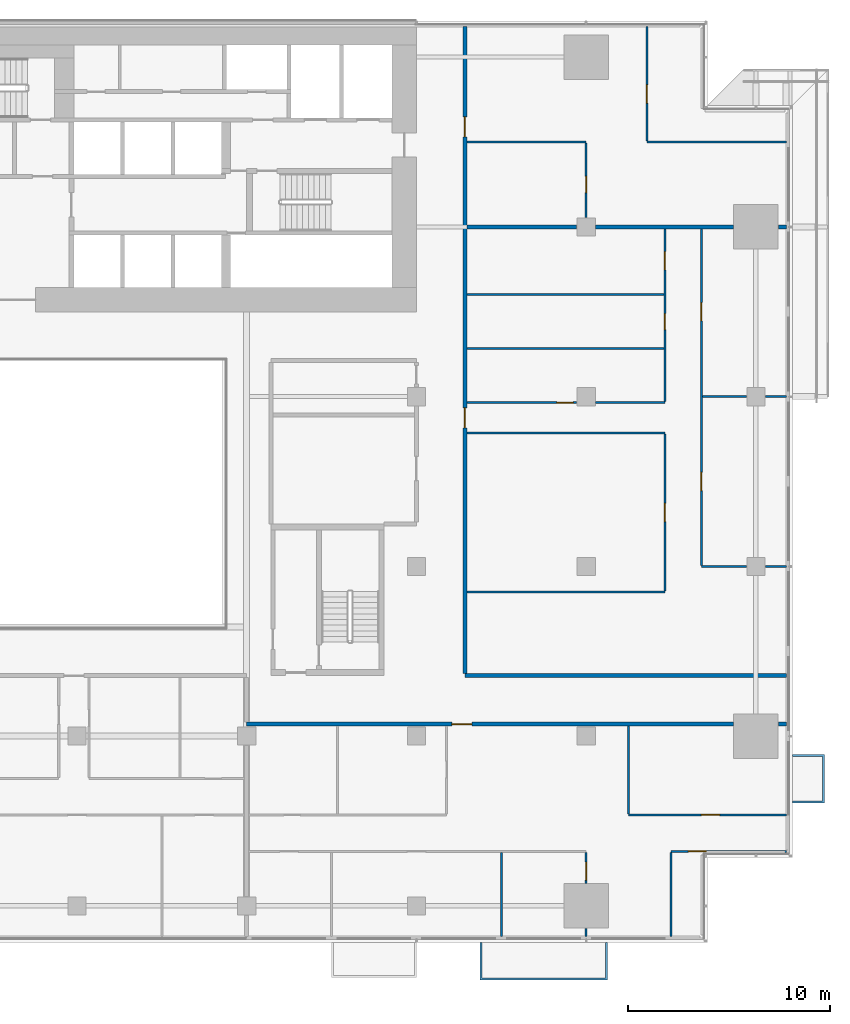
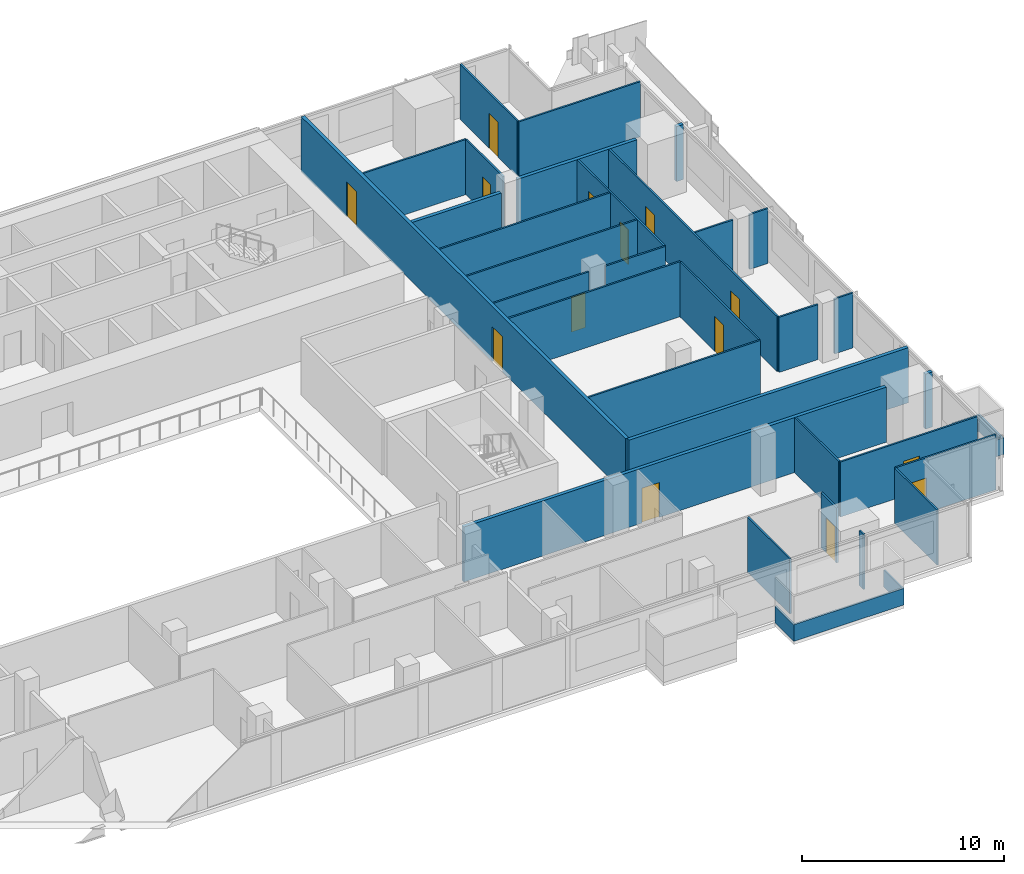
# One storey, part 24 of 29: 33 walls, 14 doors, 14 openings.
"""IFC4 building model written with IfcOpenShell, lengths in metres."""

from ifc_helpers import new_model, si_unit, direction, frame, frame_2d, origin, place, context, subcontext, project, spatial, polyline, rectangle, outline, extrude, material, layer, layer_set, type_object, element, fill, save


model = new_model("IFC4")

# Units and contexts
model_context = context("Model", 3, precision=1e-05, world=origin(), true_north=direction((0.0, 1.0)))
body_context = subcontext(model_context, "Body", "Model", "MODEL_VIEW")
ifc_project = project(units=[si_unit("LENGTHUNIT", "METRE"), si_unit("AREAUNIT", "SQUARE_METRE"), si_unit("VOLUMEUNIT", "CUBIC_METRE"), si_unit("PLANEANGLEUNIT", "RADIAN"), si_unit("MASSUNIT", "GRAM", prefix="KILO")], contexts=[model_context])

# Site, building, storey
site_placement = place(None, origin())
site = spatial("IfcSite", under=ifc_project, at=site_placement, CompositionType="ELEMENT")
building_placement = place(site_placement, origin())
building = spatial("IfcBuilding", under=site, at=building_placement, Name="Saffron Gate Tower", CompositionType="ELEMENT")
storey_placement = place(building_placement, frame((0.0, 0.0, 55.199951171875)))
storey = spatial("IfcBuildingStorey", under=building, at=storey_placement, Name="L12", CompositionType="ELEMENT", Elevation=55.199951171875)

# Wall, opening, door
ifc_material_1 = material(Name="Plasterboard on steel studs", Category="steel")
ifc_layer_1 = layer(ifc_material_1, 0.10009765625)
ifc_layer_set_1 = layer_set([ifc_layer_1], Name="PW1 Partition 100")
wall_type_1 = type_object("IfcWallType", Name="PW1 Partition 100", PredefinedType="PARTITIONING", material=ifc_layer_set_1)
wall_1_placement = place(storey_placement, frame((126.919921875, 34.5, 0.0), z_axis=(0.0, 0.0, 1.0), x_axis=(-1.0, 0.0, 0.0)))
wall_1 = element("IfcWall", 1, at=wall_1_placement, inside=storey, type_object=wall_type_1, Name="Partition A2-4", PredefinedType="PARTITIONING", context=body_context, shape_type="SweptSolid", body=[
    extrude(rectangle(XDim=5.719970703125, YDim=0.10009765625, at=frame_2d((2.85986328125, 0.0))), origin(), (0.0, 0.0, 1.0), 3.320068359375),
])
opening_1_placement = place(wall_1_placement, frame((3.96630859375, 0.0, 0.0)))
opening_1 = element("IfcOpeningElement", 2, at=opening_1_placement, cuts=wall_1, Name="Opening A2-19", PredefinedType="OPENING", context=body_context, shape_type="SweptSolid", body=[
    extrude(rectangle(XDim=0.89990234375, YDim=2.10009765625, at=frame_2d((0.449951171875, 1.050048828125))), frame((0.0, 0.06005859375, 0.0), z_axis=(0.0, -1.0, 0.0), x_axis=(1.0, 0.0, 0.0)), (0.0, 0.0, 1.0), 0.1201171875),
])
ifc_material_2 = material(Name="Timber door set", Category="wood")
door_type_1 = type_object("IfcDoorType", Name="RD1 Room door 900x2100", OperationType="NOTDEFINED", PredefinedType="DOOR", material=ifc_material_2)
door_1_placement = place(opening_1_placement, origin())
door_1 = element("IfcDoor", 3, at=door_1_placement, inside=storey, type_object=door_type_1, Name="Door A2-19", OperationType="SINGLE_SWING_RIGHT", OverallHeight=2.10009765625, OverallWidth=0.89990234375, PredefinedType="DOOR", context=body_context, shape_type="SweptSolid", body=[
    extrude(rectangle(XDim=0.89990234375, YDim=2.10009765625, at=frame_2d((0.449951171875, 1.050048828125))), frame((0.0, 0.02490234375, 0.0), z_axis=(0.0, -1.0, 0.0), x_axis=(1.0, 0.0, 0.0)), (0.0, 0.0, 1.0), 0.050048828125),
])
fill(opening_1, door_1)

wall_2_placement = place(storey_placement, frame((119.10009765625, 36.300048828125, 0.0), z_axis=(0.0, 0.0, 1.0), x_axis=(1.0, 0.0, 0.0)))
wall_2 = element("IfcWall", 4, at=wall_2_placement, inside=storey, type_object=wall_type_1, Name="Partition A2-6", PredefinedType="PARTITIONING", context=body_context, shape_type="SweptSolid", body=[
    extrude(rectangle(XDim=7.81982421875, YDim=0.10009765625, at=frame_2d((3.909912109375, 0.0))), origin(), (0.0, 0.0, 1.0), 3.320068359375),
])
opening_2_placement = place(wall_2_placement, frame((3.60009765625, 0.0, 0.0)))
opening_2 = element("IfcOpeningElement", 5, at=opening_2_placement, cuts=wall_2, Name="Opening A2-20", PredefinedType="OPENING", context=body_context, shape_type="SweptSolid", body=[
    extrude(rectangle(XDim=0.89990234375, YDim=2.10009765625, at=frame_2d((0.449951171875, 1.050048828125))), frame((0.0, 0.06005859375, 0.0), z_axis=(0.0, -1.0, 0.0), x_axis=(1.0, 0.0, 0.0)), (0.0, 0.0, 1.0), 0.1201171875),
])
door_2_placement = place(opening_2_placement, origin())
door_2 = element("IfcDoor", 6, at=door_2_placement, inside=storey, type_object=door_type_1, Name="Door A2-20", OperationType="SINGLE_SWING_RIGHT", OverallHeight=2.10009765625, OverallWidth=0.89990234375, PredefinedType="DOOR", context=body_context, shape_type="SweptSolid", body=[
    extrude(rectangle(XDim=0.89990234375, YDim=2.10009765625, at=frame_2d((0.449951171875, 1.050048828125))), frame((0.0, 0.02490234375, 0.0), z_axis=(0.0, -1.0, 0.0), x_axis=(1.0, 0.0, 0.0)), (0.0, 0.0, 1.0), 0.050048828125),
])
fill(opening_2, door_2)

# Walls
wall_3_placement = place(storey_placement, frame((111.10009765625, 47.34130859375, 0.0), z_axis=(0.0, 0.0, 1.0), x_axis=(1.0, 0.0, 0.0)))
element("IfcWall", 7, at=wall_3_placement, inside=storey, type_object=wall_type_1, Name="Partition A2-16", PredefinedType="PARTITIONING", context=body_context, shape_type="SweptSolid", body=[
    extrude(rectangle(XDim=9.7998046875, YDim=0.10009765625, at=frame_2d((4.89990234375, 0.0))), origin(), (0.0, 0.0, 1.0), 3.320068359375),
])
wall_4_placement = place(storey_placement, frame((122.699951171875, 48.60009765625, 0.0), z_axis=(0.0, 0.0, 1.0), x_axis=(1.0, 0.0, 0.0)))
element("IfcWall", 8, at=wall_4_placement, inside=storey, type_object=wall_type_1, Name="Partition A2-19", PredefinedType="PARTITIONING", context=body_context, shape_type="SweptSolid", body=[
    extrude(rectangle(XDim=2.22998046875, YDim=0.10009765625, at=frame_2d((1.114990234375, 0.0))), origin(), (0.0, 0.0, 1.0), 3.320068359375),
])
wall_5_placement = place(storey_placement, frame((125.8701171875, 48.60009765625, 0.0), z_axis=(0.0, 0.0, 1.0), x_axis=(1.0, 0.0, 0.0)))
element("IfcWall", 9, at=wall_5_placement, inside=storey, type_object=wall_type_1, Name="Partition A2-20", PredefinedType="PARTITIONING", context=body_context, shape_type="SweptSolid", body=[
    extrude(rectangle(XDim=1.0498046875, YDim=0.10009765625, at=frame_2d((0.52490234375, 0.0))), origin(), (0.0, 0.0, 1.0), 3.320068359375),
])
wall_6_placement = place(storey_placement, frame((111.10009765625, 55.199951171875, 0.0), z_axis=(0.0, 0.0, 1.0), x_axis=(1.0, 0.0, 0.0)))
element("IfcWall", 10, at=wall_6_placement, inside=storey, type_object=wall_type_1, Name="Partition A2-27", PredefinedType="PARTITIONING", context=body_context, shape_type="SweptSolid", body=[
    extrude(rectangle(XDim=9.7998046875, YDim=0.10009765625, at=frame_2d((4.89990234375, 0.0))), origin(), (0.0, 0.0, 1.0), 3.320068359375),
])

# Wall, opening, door
wall_7_placement = place(storey_placement, frame((111.10009765625, 56.699951171875, 0.0), z_axis=(0.0, 0.0, 1.0), x_axis=(1.0, 0.0, 0.0)))
wall_7 = element("IfcWall", 11, at=wall_7_placement, inside=storey, type_object=wall_type_1, Name="Partition A2-30", PredefinedType="PARTITIONING", context=body_context, shape_type="SweptSolid", body=[
    extrude(rectangle(XDim=5.429931640625, YDim=0.10009765625, at=frame_2d((2.71484375, 0.0))), origin(), (0.0, 0.0, 1.0), 3.320068359375),
])
opening_3_placement = place(wall_7_placement, frame((4.449951171875, 0.0, 0.0)))
opening_3 = element("IfcOpeningElement", 12, at=opening_3_placement, cuts=wall_7, Name="Opening A2-42", PredefinedType="OPENING", context=body_context, shape_type="SweptSolid", body=[
    extrude(rectangle(XDim=0.800048828125, YDim=2.10009765625, at=frame_2d((0.39990234375, 1.050048828125))), frame((0.0, 0.06005859375, 0.0), z_axis=(0.0, -1.0, 0.0), x_axis=(1.0, 0.0, 0.0)), (0.0, 0.0, 1.0), 0.1201171875),
])
door_type_2 = type_object("IfcDoorType", Name="RD2 Bathroom door 800x2100", OperationType="NOTDEFINED", PredefinedType="DOOR", material=ifc_material_2)
door_3_placement = place(opening_3_placement, origin())
door_3 = element("IfcDoor", 13, at=door_3_placement, inside=storey, type_object=door_type_2, Name="Door A2-42", OperationType="SINGLE_SWING_RIGHT", OverallHeight=2.10009765625, OverallWidth=0.800048828125, PredefinedType="DOOR", context=body_context, shape_type="SweptSolid", body=[
    extrude(rectangle(XDim=0.800048828125, YDim=2.10009765625, at=frame_2d((0.39990234375, 1.050048828125))), frame((0.0, 0.02490234375, 0.0), z_axis=(0.0, -1.0, 0.0), x_axis=(1.0, 0.0, 0.0)), (0.0, 0.0, 1.0), 0.050048828125),
])
fill(opening_3, door_3)

# Walls
wall_8_placement = place(storey_placement, frame((117.469970703125, 56.699951171875, 0.0), z_axis=(0.0, 0.0, 1.0), x_axis=(1.0, 0.0, 0.0)))
element("IfcWall", 14, at=wall_8_placement, inside=storey, type_object=wall_type_1, Name="Partition A2-31", PredefinedType="PARTITIONING", context=body_context, shape_type="SweptSolid", body=[
    extrude(rectangle(XDim=3.429931640625, YDim=0.10009765625, at=frame_2d((1.71484375, 0.0))), origin(), (0.0, 0.0, 1.0), 3.320068359375),
])
wall_9_placement = place(storey_placement, frame((122.75, 57.0, 0.0), z_axis=(0.0, 0.0, 1.0), x_axis=(1.0, 0.0, 0.0)))
element("IfcWall", 15, at=wall_9_placement, inside=storey, type_object=wall_type_1, Name="Partition A2-35", PredefinedType="PARTITIONING", context=body_context, shape_type="SweptSolid", body=[
    extrude(rectangle(XDim=2.179931640625, YDim=0.10009765625, at=frame_2d((1.08984375, 0.0))), origin(), (0.0, 0.0, 1.0), 3.320068359375),
])
wall_10_placement = place(storey_placement, frame((125.8701171875, 57.0, 0.0), z_axis=(0.0, 0.0, 1.0), x_axis=(1.0, 0.0, 0.0)))
element("IfcWall", 16, at=wall_10_placement, inside=storey, type_object=wall_type_1, Name="Partition A2-36", PredefinedType="PARTITIONING", context=body_context, shape_type="SweptSolid", body=[
    extrude(rectangle(XDim=1.0498046875, YDim=0.10009765625, at=frame_2d((0.52490234375, 0.0))), origin(), (0.0, 0.0, 1.0), 3.320068359375),
])
for number, where, z_axis, x_axis, name in (
    (17, (111.10009765625, 59.376708984375, 0.0), (0.0, 0.0, 1.0), (1.0, 0.0, 0.0), "Partition A2-39"),
    (18, (111.10009765625, 62.053466796875, 0.0), (0.0, 0.0, 1.0), (1.0, 0.0, 0.0), "Partition A2-41"),
):
    element("IfcWall", number, at=place(storey_placement, frame(where, z_axis=z_axis, x_axis=x_axis)), inside=storey, type_object=wall_type_1, Name=name, PredefinedType="PARTITIONING", context=body_context, shape_type="SweptSolid", body=[
        extrude(rectangle(XDim=9.75, YDim=0.10009765625, at=frame_2d((4.875, 0.0))), origin(), (0.0, 0.0, 1.0), 3.320068359375),
    ])
wall_11_placement = place(storey_placement, frame((111.10009765625, 69.60009765625, 0.0), z_axis=(0.0, 0.0, 1.0), x_axis=(1.0, 0.0, 0.0)))
element("IfcWall", 19, at=wall_11_placement, inside=storey, type_object=wall_type_1, Name="Partition A2-49", PredefinedType="PARTITIONING", context=body_context, shape_type="SweptSolid", body=[
    extrude(rectangle(XDim=5.89990234375, YDim=0.10009765625, at=frame_2d((2.949951171875, 0.0))), origin(), (0.0, 0.0, 1.0), 3.320068359375),
])
wall_12_placement = place(storey_placement, frame((120.0, 69.60009765625, 0.0), z_axis=(0.0, 0.0, 1.0), x_axis=(1.0, 0.0, 0.0)))
element("IfcWall", 20, at=wall_12_placement, inside=storey, type_object=wall_type_1, Name="Partition A2-50", PredefinedType="PARTITIONING", context=body_context, shape_type="SweptSolid", body=[
    extrude(rectangle(XDim=6.919921875, YDim=0.10009765625, at=frame_2d((3.4599609375, 0.0))), origin(), (0.0, 0.0, 1.0), 3.320068359375),
])
wall_13_placement = place(storey_placement, frame((112.800048828125, 34.449951171875, 0.0), z_axis=(0.0, 0.0, 1.0), x_axis=(0.0, -1.0, 0.0)))
element("IfcWall", 21, at=wall_13_placement, inside=storey, type_object=wall_type_1, Name="Partition A2-89", PredefinedType="PARTITIONING", context=body_context, shape_type="SweptSolid", body=[
    extrude(rectangle(XDim=4.169921875, YDim=0.10009765625, at=frame_2d((2.0849609375, 0.0))), origin(), (0.0, 0.0, 1.0), 3.320068359375),
])
wall_14_placement = place(storey_placement, frame((117.0, 30.679931640625, 0.0), z_axis=(0.0, 0.0, 1.0), x_axis=(0.0, -1.0, 0.0)))
element("IfcWall", 22, at=wall_14_placement, inside=storey, type_object=wall_type_1, Name="Partition A2-90", PredefinedType="PARTITIONING", context=body_context, shape_type="SweptSolid", body=[
    extrude(rectangle(XDim=0.39990234375, YDim=0.10009765625, at=frame_2d((0.199951171875, 0.0))), origin(), (0.0, 0.0, 1.0), 3.320068359375),
])

# Wall, opening, door
wall_15_placement = place(storey_placement, frame((117.0, 32.919921875, 0.0), z_axis=(0.0, 0.0, 1.0), x_axis=(0.0, 1.0, 0.0)))
wall_15 = element("IfcWall", 23, at=wall_15_placement, inside=storey, type_object=wall_type_1, Name="Partition A2-91", PredefinedType="PARTITIONING", context=body_context, shape_type="SweptSolid", body=[
    extrude(rectangle(XDim=1.530029296875, YDim=0.10009765625, at=frame_2d((0.76513671875, 0.0))), origin(), (0.0, 0.0, 1.0), 3.320068359375),
])
opening_4_placement = place(wall_15_placement, frame((0.14990234375, 0.0, 0.0)))
opening_4 = element("IfcOpeningElement", 24, at=opening_4_placement, cuts=wall_15, Name="Opening A2-18", PredefinedType="OPENING", context=body_context, shape_type="SweptSolid", body=[
    extrude(rectangle(XDim=0.89990234375, YDim=2.10009765625, at=frame_2d((0.449951171875, 1.050048828125))), frame((0.0, 0.06005859375, 0.0), z_axis=(0.0, -1.0, 0.0), x_axis=(1.0, 0.0, 0.0)), (0.0, 0.0, 1.0), 0.1201171875),
])
door_4_placement = place(opening_4_placement, origin())
door_4 = element("IfcDoor", 25, at=door_4_placement, inside=storey, type_object=door_type_1, Name="Door A2-18", OperationType="SINGLE_SWING_LEFT", OverallHeight=2.10009765625, OverallWidth=0.89990234375, PredefinedType="DOOR", context=body_context, shape_type="SweptSolid", body=[
    extrude(rectangle(XDim=0.89990234375, YDim=2.10009765625, at=frame_2d((0.449951171875, 1.050048828125))), frame((0.0, 0.02490234375, 0.0), z_axis=(0.0, -1.0, 0.0), x_axis=(1.0, 0.0, 0.0)), (0.0, 0.0, 1.0), 0.050048828125),
])
fill(opening_4, door_4)

wall_16_placement = place(storey_placement, frame((117.0, 65.8701171875, 0.0), z_axis=(0.0, 0.0, 1.0), x_axis=(0.0, 1.0, 0.0)))
wall_16 = element("IfcWall", 26, at=wall_16_placement, inside=storey, type_object=wall_type_1, Name="Partition A2-92", PredefinedType="PARTITIONING", context=body_context, shape_type="SweptSolid", body=[
    extrude(rectangle(XDim=3.679931640625, YDim=0.10009765625, at=frame_2d((1.83984375, 0.0))), origin(), (0.0, 0.0, 1.0), 3.320068359375),
])
opening_5_placement = place(wall_16_placement, frame((1.22998046875, 0.0, 0.0)))
opening_5 = element("IfcOpeningElement", 27, at=opening_5_placement, cuts=wall_16, Name="Opening A2-44", PredefinedType="OPENING", context=body_context, shape_type="SweptSolid", body=[
    extrude(rectangle(XDim=0.800048828125, YDim=2.10009765625, at=frame_2d((0.39990234375, 1.050048828125))), frame((0.0, 0.06005859375, 0.0), z_axis=(0.0, -1.0, 0.0), x_axis=(1.0, 0.0, 0.0)), (0.0, 0.0, 1.0), 0.1201171875),
])
door_5_placement = place(opening_5_placement, origin())
door_5 = element("IfcDoor", 28, at=door_5_placement, inside=storey, type_object=door_type_2, Name="Door A2-44", OperationType="SINGLE_SWING_LEFT", OverallHeight=2.10009765625, OverallWidth=0.800048828125, PredefinedType="DOOR", context=body_context, shape_type="SweptSolid", body=[
    extrude(rectangle(XDim=0.800048828125, YDim=2.10009765625, at=frame_2d((0.39990234375, 1.050048828125))), frame((0.0, 0.02490234375, 0.0), z_axis=(0.0, -1.0, 0.0), x_axis=(1.0, 0.0, 0.0)), (0.0, 0.0, 1.0), 0.050048828125),
])
fill(opening_5, door_5)

# Wall
wall_17_placement = place(storey_placement, frame((119.10009765625, 40.699951171875, 0.0), z_axis=(0.0, 0.0, 1.0), x_axis=(0.0, -1.0, 0.0)))
element("IfcWall", 29, at=wall_17_placement, inside=storey, type_object=wall_type_1, Name="Partition A2-93", PredefinedType="PARTITIONING", context=body_context, shape_type="SweptSolid", body=[
    extrude(rectangle(XDim=4.349853515625, YDim=0.10009765625, at=frame_2d((2.1748046875, 0.0))), origin(), (0.0, 0.0, 1.0), 3.320068359375),
])

# Wall, opening, door
wall_18_placement = place(storey_placement, frame((120.0, 75.320068359375, 0.0), z_axis=(0.0, 0.0, 1.0), x_axis=(0.0, -1.0, 0.0)))
wall_18 = element("IfcWall", 30, at=wall_18_placement, inside=storey, type_object=wall_type_1, Name="Partition A2-94", PredefinedType="PARTITIONING", context=body_context, shape_type="SweptSolid", body=[
    extrude(rectangle(XDim=5.670166015625, YDim=0.10009765625, at=frame_2d((2.8349609375, 0.0))), origin(), (0.0, 0.0, 1.0), 3.320068359375),
])
opening_6_placement = place(wall_18_placement, frame((2.89111328125, 0.0, 0.0)))
opening_6 = element("IfcOpeningElement", 31, at=opening_6_placement, cuts=wall_18, Name="Opening A2-31", PredefinedType="OPENING", context=body_context, shape_type="SweptSolid", body=[
    extrude(rectangle(XDim=0.89990234375, YDim=2.10009765625, at=frame_2d((0.449951171875, 1.050048828125))), frame((0.0, 0.06005859375, 0.0), z_axis=(0.0, -1.0, 0.0), x_axis=(1.0, 0.0, 0.0)), (0.0, 0.0, 1.0), 0.1201171875),
])
door_6_placement = place(opening_6_placement, origin())
door_6 = element("IfcDoor", 32, at=door_6_placement, inside=storey, type_object=door_type_1, Name="Door A2-31", OperationType="SINGLE_SWING_RIGHT", OverallHeight=2.10009765625, OverallWidth=0.89990234375, PredefinedType="DOOR", context=body_context, shape_type="SweptSolid", body=[
    extrude(rectangle(XDim=0.89990234375, YDim=2.10009765625, at=frame_2d((0.449951171875, 1.050048828125))), frame((0.0, 0.02490234375, 0.0), z_axis=(0.0, -1.0, 0.0), x_axis=(1.0, 0.0, 0.0)), (0.0, 0.0, 1.0), 0.050048828125),
])
fill(opening_6, door_6)

wall_19_placement = place(storey_placement, frame((120.89990234375, 47.391357421875, 0.0), z_axis=(0.0, 0.0, 1.0), x_axis=(0.0, 1.0, 0.0)))
wall_19 = element("IfcWall", 33, at=wall_19_placement, inside=storey, type_object=wall_type_1, Name="Partition A2-95", PredefinedType="PARTITIONING", context=body_context, shape_type="SweptSolid", body=[
    extrude(rectangle(XDim=7.758544921875, YDim=0.10009765625, at=frame_2d((3.87939453125, 0.0))), origin(), (0.0, 0.0, 1.0), 3.320068359375),
])
opening_7_placement = place(wall_19_placement, frame((3.42919921875, 0.0, 0.0)))
opening_7 = element("IfcOpeningElement", 34, at=opening_7_placement, cuts=wall_19, Name="Opening A2-29", PredefinedType="OPENING", context=body_context, shape_type="SweptSolid", body=[
    extrude(rectangle(XDim=0.89990234375, YDim=2.10009765625, at=frame_2d((0.449951171875, 1.050048828125))), frame((0.0, 0.06005859375, 0.0), z_axis=(0.0, -1.0, 0.0), x_axis=(1.0, 0.0, 0.0)), (0.0, 0.0, 1.0), 0.1201171875),
])
door_7_placement = place(opening_7_placement, origin())
door_7 = element("IfcDoor", 35, at=door_7_placement, inside=storey, type_object=door_type_1, Name="Door A2-29", OperationType="SINGLE_SWING_LEFT", OverallHeight=2.10009765625, OverallWidth=0.89990234375, PredefinedType="DOOR", context=body_context, shape_type="SweptSolid", body=[
    extrude(rectangle(XDim=0.89990234375, YDim=2.10009765625, at=frame_2d((0.449951171875, 1.050048828125))), frame((0.0, 0.02490234375, 0.0), z_axis=(0.0, -1.0, 0.0), x_axis=(1.0, 0.0, 0.0)), (0.0, 0.0, 1.0), 0.050048828125),
])
fill(opening_7, door_7)

# Wall, openings, doors
wall_20_placement = place(storey_placement, frame((120.89990234375, 56.75, 0.0), z_axis=(0.0, 0.0, 1.0), x_axis=(0.0, 1.0, 0.0)))
wall_20 = element("IfcWall", 36, at=wall_20_placement, inside=storey, type_object=wall_type_1, Name="Partition A2-96", PredefinedType="PARTITIONING", context=body_context, shape_type="SweptSolid", body=[
    extrude(rectangle(XDim=8.550048828125, YDim=0.10009765625, at=frame_2d((4.27490234375, 0.0))), origin(), (0.0, 0.0, 1.0), 3.320068359375),
])
opening_8_placement = place(wall_20_placement, frame((3.565185546875, 0.0, 0.0)))
opening_8 = element("IfcOpeningElement", 37, at=opening_8_placement, cuts=wall_20, Name="Opening A2-43", PredefinedType="OPENING", context=body_context, shape_type="SweptSolid", body=[
    extrude(rectangle(XDim=0.800048828125, YDim=2.10009765625, at=frame_2d((0.39990234375, 1.050048828125))), frame((0.0, 0.06005859375, 0.0), z_axis=(0.0, -1.0, 0.0), x_axis=(1.0, 0.0, 0.0)), (0.0, 0.0, 1.0), 0.1201171875),
])
opening_9_placement = place(wall_20_placement, frame((6.526611328125, 0.0, 0.0)))
opening_9 = element("IfcOpeningElement", 38, at=opening_9_placement, cuts=wall_20, Name="Opening A2-30", PredefinedType="OPENING", context=body_context, shape_type="SweptSolid", body=[
    extrude(rectangle(XDim=0.89990234375, YDim=2.10009765625, at=frame_2d((0.449951171875, 1.050048828125))), frame((0.0, 0.06005859375, 0.0), z_axis=(0.0, -1.0, 0.0), x_axis=(1.0, 0.0, 0.0)), (0.0, 0.0, 1.0), 0.1201171875),
])
door_8_placement = place(opening_9_placement, origin())
door_8 = element("IfcDoor", 39, at=door_8_placement, inside=storey, type_object=door_type_1, Name="Door A2-30", OperationType="SINGLE_SWING_RIGHT", OverallHeight=2.10009765625, OverallWidth=0.89990234375, PredefinedType="DOOR", context=body_context, shape_type="SweptSolid", body=[
    extrude(rectangle(XDim=0.89990234375, YDim=2.10009765625, at=frame_2d((0.449951171875, 1.050048828125))), frame((0.0, 0.02490234375, 0.0), z_axis=(0.0, -1.0, 0.0), x_axis=(1.0, 0.0, 0.0)), (0.0, 0.0, 1.0), 0.050048828125),
])
fill(opening_9, door_8)
door_9_placement = place(opening_8_placement, origin())
door_9 = element("IfcDoor", 40, at=door_9_placement, inside=storey, type_object=door_type_2, Name="Door A2-43", OperationType="SINGLE_SWING_RIGHT", OverallHeight=2.10009765625, OverallWidth=0.800048828125, PredefinedType="DOOR", context=body_context, shape_type="SweptSolid", body=[
    extrude(rectangle(XDim=0.800048828125, YDim=2.10009765625, at=frame_2d((0.39990234375, 1.050048828125))), frame((0.0, 0.02490234375, 0.0), z_axis=(0.0, -1.0, 0.0), x_axis=(1.0, 0.0, 0.0)), (0.0, 0.0, 1.0), 0.050048828125),
])
fill(opening_8, door_9)

# Wall
wall_21_placement = place(storey_placement, frame((121.199951171875, 34.449951171875, 0.0), z_axis=(0.0, 0.0, 1.0), x_axis=(0.0, -1.0, 0.0)))
element("IfcWall", 41, at=wall_21_placement, inside=storey, type_object=wall_type_1, Name="Partition A2-97", PredefinedType="PARTITIONING", context=body_context, shape_type="SweptSolid", body=[
    extrude(rectangle(XDim=4.169921875, YDim=0.10009765625, at=frame_2d((2.0849609375, 0.0))), origin(), (0.0, 0.0, 1.0), 3.320068359375),
])

# Wall, openings, doors
wall_22_placement = place(storey_placement, frame((122.699951171875, 65.300048828125, 0.0), z_axis=(0.0, 0.0, 1.0), x_axis=(0.0, -1.0, 0.0)))
wall_22 = element("IfcWall", 42, at=wall_22_placement, inside=storey, type_object=wall_type_1, Name="Partition A2-98", PredefinedType="PARTITIONING", context=body_context, shape_type="SweptSolid", body=[
    extrude(rectangle(XDim=16.650146484375, YDim=0.10009765625, at=frame_2d((8.3251953125, 0.0))), origin(), (0.0, 0.0, 1.0), 3.320068359375),
])
opening_10_placement = place(wall_22_placement, frame((3.64990234375, 0.0, 0.0)))
opening_10 = element("IfcOpeningElement", 43, at=opening_10_placement, cuts=wall_22, Name="Opening A2-28", PredefinedType="OPENING", context=body_context, shape_type="SweptSolid", body=[
    extrude(rectangle(XDim=0.89990234375, YDim=2.10009765625, at=frame_2d((0.449951171875, 1.050048828125))), frame((0.0, 0.06005859375, 0.0), z_axis=(0.0, -1.0, 0.0), x_axis=(1.0, 0.0, 0.0)), (0.0, 0.0, 1.0), 0.1201171875),
])
opening_11_placement = place(wall_22_placement, frame((12.050048828125, 0.0, 0.0)))
opening_11 = element("IfcOpeningElement", 44, at=opening_11_placement, cuts=wall_22, Name="Opening A2-27", PredefinedType="OPENING", context=body_context, shape_type="SweptSolid", body=[
    extrude(rectangle(XDim=0.89990234375, YDim=2.10009765625, at=frame_2d((0.449951171875, 1.050048828125))), frame((0.0, 0.06005859375, 0.0), z_axis=(0.0, -1.0, 0.0), x_axis=(1.0, 0.0, 0.0)), (0.0, 0.0, 1.0), 0.1201171875),
])
door_10_placement = place(opening_10_placement, origin())
door_10 = element("IfcDoor", 45, at=door_10_placement, inside=storey, type_object=door_type_1, Name="Door A2-28", OperationType="SINGLE_SWING_LEFT", OverallHeight=2.10009765625, OverallWidth=0.89990234375, PredefinedType="DOOR", context=body_context, shape_type="SweptSolid", body=[
    extrude(rectangle(XDim=0.89990234375, YDim=2.10009765625, at=frame_2d((0.449951171875, 1.050048828125))), frame((0.0, 0.02490234375, 0.0), z_axis=(0.0, -1.0, 0.0), x_axis=(1.0, 0.0, 0.0)), (0.0, 0.0, 1.0), 0.050048828125),
])
fill(opening_10, door_10)
door_11_placement = place(opening_11_placement, origin())
door_11 = element("IfcDoor", 46, at=door_11_placement, inside=storey, type_object=door_type_1, Name="Door A2-27", OperationType="SINGLE_SWING_RIGHT", OverallHeight=2.10009765625, OverallWidth=0.89990234375, PredefinedType="DOOR", context=body_context, shape_type="SweptSolid", body=[
    extrude(rectangle(XDim=0.89990234375, YDim=2.10009765625, at=frame_2d((0.449951171875, 1.050048828125))), frame((0.0, 0.02490234375, 0.0), z_axis=(0.0, -1.0, 0.0), x_axis=(1.0, 0.0, 0.0)), (0.0, 0.0, 1.0), 0.050048828125),
])
fill(opening_11, door_11)

# Walls
ifc_material_3 = material(Name="Clay brick masonry, rendered", Category="masonry")
ifc_layer_2 = layer(ifc_material_3, 0.199951171875)
ifc_layer_set_2 = layer_set([ifc_layer_2], Name="PW2 Demising wall 200")
wall_type_2 = type_object("IfcWallType", Name="PW2 Demising wall 200", PredefinedType="PARTITIONING", material=ifc_layer_set_2)
wall_23_placement = place(storey_placement, frame((111.10009765625, 65.39990234375, 0.0), z_axis=(0.0, 0.0, 1.0), x_axis=(1.0, 0.0, 0.0)))
element("IfcWall", 47, at=wall_23_placement, inside=storey, type_object=wall_type_2, Name="Wall A2-43", PredefinedType="PARTITIONING", context=body_context, shape_type="SweptSolid", body=[
    extrude(rectangle(XDim=5.429931640625, YDim=0.199951171875, at=frame_2d((2.71484375, 0.0))), origin(), (0.0, 0.0, 1.0), 2.820068359375),
])
wall_24_placement = place(storey_placement, frame((117.469970703125, 65.39990234375, 0.0), z_axis=(0.0, 0.0, 1.0), x_axis=(1.0, 0.0, 0.0)))
element("IfcWall", 48, at=wall_24_placement, inside=storey, type_object=wall_type_2, Name="Wall A2-44", PredefinedType="PARTITIONING", context=body_context, shape_type="SweptSolid", body=[
    extrude(rectangle(XDim=6.81005859375, YDim=0.199951171875, at=frame_2d((3.405029296875, 0.0))), origin(), (0.0, 0.0, 1.0), 3.320068359375),
])
wall_25_placement = place(storey_placement, frame((126.52001953125, 65.39990234375, 0.0), z_axis=(0.0, 0.0, 1.0), x_axis=(1.0, 0.0, 0.0)))
element("IfcWall", 49, at=wall_25_placement, inside=storey, type_object=wall_type_2, Name="Wall A2-45", PredefinedType="PARTITIONING", context=body_context, shape_type="SweptSolid", body=[
    extrude(rectangle(XDim=0.39990234375, YDim=0.199951171875, at=frame_2d((0.199951171875, 0.0))), origin(), (0.0, 0.0, 1.0), 3.320068359375),
])

# Wall, opening, door
ifc_layer_3 = layer(ifc_material_3, 0.199951171875)
ifc_layer_set_3 = layer_set([ifc_layer_3], Name="PW3 Corridor wall 200")
wall_type_3 = type_object("IfcWallType", Name="PW3 Corridor wall 200", PredefinedType="PARTITIONING", material=ifc_layer_set_3)
wall_26_placement = place(storey_placement, frame((124.280029296875, 40.800048828125, 0.0), z_axis=(0.0, 0.0, 1.0), x_axis=(-1.0, 0.0, 0.0)))
wall_26 = element("IfcWall", 50, at=wall_26_placement, inside=storey, type_object=wall_type_3, Name="Wall A2-11", PredefinedType="PARTITIONING", context=body_context, shape_type="SweptSolid", body=[
    extrude(rectangle(XDim=24.080078125, YDim=0.199951171875, at=frame_2d((12.0400390625, 0.0))), origin(), (0.0, 0.0, 1.0), 3.320068359375),
])
opening_12_placement = place(wall_26_placement, frame((12.929931640625, 0.0, 0.0)))
opening_12 = element("IfcOpeningElement", 51, at=opening_12_placement, cuts=wall_26, Name="Opening A2-3", PredefinedType="OPENING", context=body_context, shape_type="SweptSolid", body=[
    extrude(rectangle(XDim=1.0, YDim=2.10009765625, at=frame_2d((0.5, 1.050048828125))), frame((0.0, 0.10986328125, 0.0), z_axis=(0.0, -1.0, 0.0), x_axis=(1.0, 0.0, 0.0)), (0.0, 0.0, 1.0), 0.219970703125),
])
ifc_material_4 = material(Name="Timber fire door set", Category="wood")
door_type_3 = type_object("IfcDoorType", Name="FD1 Flat entry door 1000x2100", OperationType="NOTDEFINED", PredefinedType="DOOR", material=ifc_material_4)
door_12_placement = place(opening_12_placement, origin())
door_12 = element("IfcDoor", 52, at=door_12_placement, inside=storey, type_object=door_type_3, Name="Door A2-3", OperationType="SINGLE_SWING_RIGHT", OverallHeight=2.10009765625, OverallWidth=1.0, PredefinedType="DOOR", context=body_context, shape_type="SweptSolid", body=[
    extrude(rectangle(XDim=1.0, YDim=2.10009765625, at=frame_2d((0.5, 1.050048828125))), frame((0.0, 0.02490234375, 0.0), z_axis=(0.0, -1.0, 0.0), x_axis=(1.0, 0.0, 0.0)), (0.0, 0.0, 1.0), 0.050048828125),
])
fill(opening_12, door_12)

# Walls
wall_27_placement = place(storey_placement, frame((126.52001953125, 40.800048828125, 0.0), z_axis=(0.0, 0.0, 1.0), x_axis=(1.0, 0.0, 0.0)))
element("IfcWall", 53, at=wall_27_placement, inside=storey, type_object=wall_type_3, Name="Wall A2-12", PredefinedType="PARTITIONING", context=body_context, shape_type="SweptSolid", body=[
    extrude(rectangle(XDim=0.39990234375, YDim=0.199951171875, at=frame_2d((0.199951171875, 0.0))), origin(), (0.0, 0.0, 1.0), 3.320068359375),
])
wall_28_placement = place(storey_placement, frame((111.0, 43.199951171875, 0.0), z_axis=(0.0, 0.0, 1.0), x_axis=(1.0, 0.0, 0.0)))
element("IfcWall", 54, at=wall_28_placement, inside=storey, type_object=wall_type_3, Name="Wall A2-15", PredefinedType="PARTITIONING", context=body_context, shape_type="SweptSolid", body=[
    extrude(rectangle(XDim=15.919921875, YDim=0.199951171875, at=frame_2d((7.9599609375, 0.0))), origin(), (0.0, 0.0, 1.0), 3.320068359375),
])

# Wall, openings, doors
wall_29_placement = place(storey_placement, frame((111.0, 75.320068359375, 0.0), z_axis=(0.0, 0.0, 1.0), x_axis=(0.0, -1.0, 0.0)))
wall_29 = element("IfcWall", 55, at=wall_29_placement, inside=storey, type_object=wall_type_3, Name="Wall A2-88", PredefinedType="PARTITIONING", context=body_context, shape_type="SweptSolid", body=[
    extrude(rectangle(XDim=32.02001953125, YDim=0.199951171875, at=frame_2d((16.010009765625, 0.0))), origin(), (0.0, 0.0, 1.0), 3.320068359375),
])
opening_13_placement = place(wall_29_placement, frame((4.469970703125, 0.0, 0.0)))
opening_13 = element("IfcOpeningElement", 56, at=opening_13_placement, cuts=wall_29, Name="Opening A2-7", PredefinedType="OPENING", context=body_context, shape_type="SweptSolid", body=[
    extrude(rectangle(XDim=1.0, YDim=2.10009765625, at=frame_2d((0.5, 1.050048828125))), frame((0.0, 0.10986328125, 0.0), z_axis=(0.0, -1.0, 0.0), x_axis=(1.0, 0.0, 0.0)), (0.0, 0.0, 1.0), 0.219970703125),
])
opening_14_placement = place(wall_29_placement, frame((18.8701171875, 0.0, 0.0)))
opening_14 = element("IfcOpeningElement", 57, at=opening_14_placement, cuts=wall_29, Name="Opening A2-6", PredefinedType="OPENING", context=body_context, shape_type="SweptSolid", body=[
    extrude(rectangle(XDim=1.0, YDim=2.10009765625, at=frame_2d((0.5, 1.050048828125))), frame((0.0, 0.10986328125, 0.0), z_axis=(0.0, -1.0, 0.0), x_axis=(1.0, 0.0, 0.0)), (0.0, 0.0, 1.0), 0.219970703125),
])
door_13_placement = place(opening_13_placement, origin())
door_13 = element("IfcDoor", 58, at=door_13_placement, inside=storey, type_object=door_type_3, Name="Door A2-7", OperationType="SINGLE_SWING_RIGHT", OverallHeight=2.10009765625, OverallWidth=1.0, PredefinedType="DOOR", context=body_context, shape_type="SweptSolid", body=[
    extrude(rectangle(XDim=1.0, YDim=2.10009765625, at=frame_2d((0.5, 1.050048828125))), frame((0.0, 0.02490234375, 0.0), z_axis=(0.0, -1.0, 0.0), x_axis=(1.0, 0.0, 0.0)), (0.0, 0.0, 1.0), 0.050048828125),
])
fill(opening_13, door_13)
door_14_placement = place(opening_14_placement, origin())
door_14 = element("IfcDoor", 59, at=door_14_placement, inside=storey, type_object=door_type_3, Name="Door A2-6", OperationType="SINGLE_SWING_LEFT", OverallHeight=2.10009765625, OverallWidth=1.0, PredefinedType="DOOR", context=body_context, shape_type="SweptSolid", body=[
    extrude(rectangle(XDim=1.0, YDim=2.10009765625, at=frame_2d((0.5, 1.050048828125))), frame((0.0, 0.02490234375, 0.0), z_axis=(0.0, -1.0, 0.0), x_axis=(1.0, 0.0, 0.0)), (0.0, 0.0, 1.0), 0.050048828125),
])
fill(opening_14, door_14)

# Walls
ifc_material_5 = material(Name="Rendered insulated panel, white")
ifc_layer_4 = layer(ifc_material_5, 0.10009765625)
ifc_layer_set_4 = layer_set([ifc_layer_4], Name="WB3 box parapet white")
wall_type_4 = type_object("IfcWallType", Name="WB3 box parapet white", PredefinedType="SOLIDWALL", material=ifc_layer_set_4)
wall_30_placement = place(storey_placement, origin())
element("IfcWall", 60, at=wall_30_placement, inside=storey, type_object=wall_type_4, Name="WINDOW BOX parapet", PredefinedType="SOLIDWALL", context=body_context, shape_type="SweptSolid", body=[
    extrude(outline(polyline([(111.75, 30.0), (111.85009765625, 30.0), (111.85009765625, 28.23291015625), (117.949951171875, 28.23291015625), (117.949951171875, 30.0), (118.050048828125, 30.0), (118.050048828125, 28.133056640625), (111.75, 28.133056640625), (111.75, 30.0)])), origin(), (0.0, 0.0, 1.0), 1.0),
])
wall_31_placement = place(storey_placement, origin())
element("IfcWall", 61, at=wall_31_placement, inside=storey, type_object=wall_type_4, Name="WINDOW BOX parapet", PredefinedType="SOLIDWALL", context=body_context, shape_type="SweptSolid", body=[
    extrude(outline(polyline([(127.199951171875, 36.89990234375), (127.199951171875, 37.0), (128.699951171875, 37.0), (128.699951171875, 39.199951171875), (127.199951171875, 39.199951171875), (127.199951171875, 39.300048828125), (128.800048828125, 39.300048828125), (128.800048828125, 36.89990234375), (127.199951171875, 36.89990234375)])), origin(), (0.0, 0.0, 1.0), 1.0),
])

save(model, "model.ifc")
